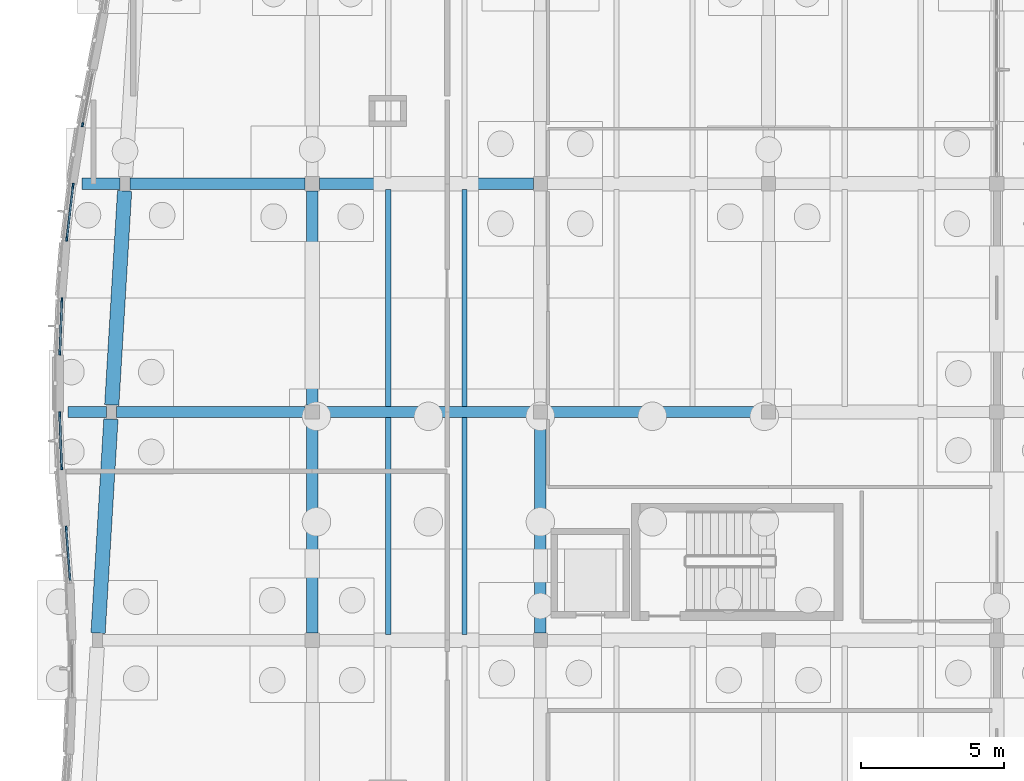
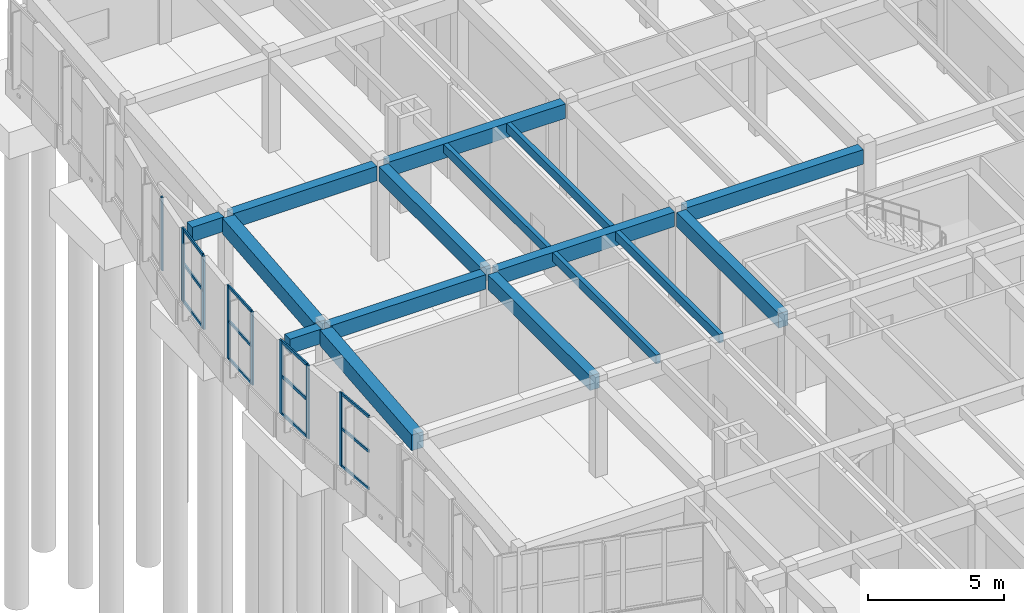
# One storey, part 24 of 99: 20 members, 16 beams, 5 elements without a shape of their own.
"""IFC4 building model written with IfcOpenShell, lengths in metres."""

from ifc_helpers import new_model, si_unit, direction, frame, origin, origin_2d, place, context, subcontext, project, spatial, rectangle, extrude, material, layer, layer_set, material_profile, profile_set, type_object, element, aggregate, save


model = new_model("IFC4")

# Units and contexts
model_context = context("Model", 3, precision=1e-05, world=origin(), true_north=direction((0.0, 1.0)))
body_context = subcontext(model_context, "Body", "Model", "MODEL_VIEW")
ifc_project = project(units=[si_unit("LENGTHUNIT", "METRE"), si_unit("AREAUNIT", "SQUARE_METRE"), si_unit("VOLUMEUNIT", "CUBIC_METRE"), si_unit("PLANEANGLEUNIT", "RADIAN"), si_unit("MASSUNIT", "GRAM", prefix="KILO")], contexts=[model_context])

# Site, building, storey
site_placement = place(None, origin())
site = spatial("IfcSite", under=ifc_project, at=site_placement, CompositionType="ELEMENT")
building_placement = place(site_placement, origin())
building = spatial("IfcBuilding", under=site, at=building_placement, Name="Tonlespit Floodbar School", CompositionType="ELEMENT")
storey_placement = place(building_placement, origin())
storey = spatial("IfcBuildingStorey", under=building, at=storey_placement, Name="L00", CompositionType="ELEMENT", Elevation=0.0)

# Beams
ifc_material_1 = material(Name="Concrete C40/50", Category="concrete")
ifc_material_profile_1 = material_profile(ifc_material_1, rectangle(XDim=0.39990234375, YDim=0.64990234375, at=origin_2d()), Name="RC 400x650")
ifc_profile_set_1 = profile_set([ifc_material_profile_1], Name="Concrete C40/50")
beam_type_1 = type_object("IfcBeamType", Name="Beam_RC_400x650", PredefinedType="BEAM", material=ifc_profile_set_1)
beam_1_placement = place(storey_placement, frame((5.135009765625, 72.0, 3.9150390625), z_axis=(1.0, 0.0, 0.0), x_axis=(0.0, 1.0, 0.0)))
element("IfcBeam", 1, at=beam_1_placement, inside=storey, type_object=beam_type_1, Name="L00 girder 0068", PredefinedType="BEAM", context=body_context, shape_type="SweptSolid", body=[
    extrude(rectangle(XDim=0.39990234375, YDim=0.64990234375, at=origin_2d()), origin(), (0.0, 0.0, 1.0), 6.614990234375),
])
for number, where, z_axis, x_axis, name in (
    (2, (12.25, 72.0, 3.9150390625), (1.0, 0.0, 0.0), (0.0, 1.0, 0.0), "L00 girder 0069"),
    (3, (20.25, 72.0, 3.9150390625), (1.0, 0.0, 0.0), (0.0, 1.0, 0.0), "L00 girder 0070"),
):
    element("IfcBeam", number, at=place(storey_placement, frame(where, z_axis=z_axis, x_axis=x_axis)), inside=storey, type_object=beam_type_1, Name=name, PredefinedType="BEAM", context=body_context, shape_type="SweptSolid", body=[
        extrude(rectangle(XDim=0.39990234375, YDim=0.64990234375, at=origin_2d()), origin(), (0.0, 0.0, 1.0), 7.5),
    ])
beam_2_placement = place(storey_placement, frame((5.614990234375, 80.0, 3.9150390625), z_axis=(1.0, 0.0, 0.0), x_axis=(0.0, 1.0, 0.0)))
element("IfcBeam", 4, at=beam_2_placement, inside=storey, type_object=beam_type_1, Name="L00 girder 0079", PredefinedType="BEAM", context=body_context, shape_type="SweptSolid", body=[
    extrude(rectangle(XDim=0.39990234375, YDim=0.64990234375, at=origin_2d()), origin(), (0.0, 0.0, 1.0), 6.135009765625),
])
for number, where, z_axis, x_axis, name in (
    (5, (12.25, 80.0, 3.9150390625), (1.0, 0.0, 0.0), (0.0, 1.0, 0.0), "L00 girder 0080"),
    (6, (12.0, 64.25, 3.9150390625), (0.0, 1.0, 0.0), (-1.0, 0.0, 0.0), "L00 girder 0180"),
    (7, (12.0, 72.25, 3.9150390625), (0.0, 1.0, 0.0), (-1.0, 0.0, 0.0), "L00 girder 0181"),
    (8, (20.0, 64.25, 3.9150390625), (0.0, 1.0, 0.0), (-1.0, 0.0, 0.0), "L00 girder 0193"),
):
    element("IfcBeam", number, at=place(storey_placement, frame(where, z_axis=z_axis, x_axis=x_axis)), inside=storey, type_object=beam_type_1, Name=name, PredefinedType="BEAM", context=body_context, shape_type="SweptSolid", body=[
        extrude(rectangle(XDim=0.39990234375, YDim=0.64990234375, at=origin_2d()), origin(), (0.0, 0.0, 1.0), 7.5),
    ])
for number, where, z_axis, x_axis, name in (
    (9, (4.784912109375, 72.0, 3.9150390625), (-1.0, 0.0, 0.0), (0.0, -1.0, 0.0), "L00 west street wave cantilever bracket"),
    (10, (5.264892578125, 80.0, 3.9150390625), (-1.0, 0.0, 0.0), (0.0, -1.0, 0.0), "L00 west street wave cantilever bracket"),
):
    element("IfcBeam", number, at=place(storey_placement, frame(where, z_axis=z_axis, x_axis=x_axis)), inside=storey, type_object=beam_type_1, Name=name, PredefinedType="BEAM", context=body_context, shape_type="SweptSolid", body=[
        extrude(rectangle(XDim=0.39990234375, YDim=0.64990234375, at=origin_2d()), origin(), (0.0, 0.0, 1.0), 1.33984375),
    ])

# Curtain wall, member
ifc_material_2 = material(Name="Anodised Aluminium", Category="aluminium")
ifc_layer_1 = layer(ifc_material_2, 0.159912109375)
ifc_layer_set_1 = layer_set([ifc_layer_1], Name="Anodised Aluminium")
curtain_wall_type_1 = type_object("IfcCurtainWallType", Name="CurtainWall_1950x3300", PredefinedType="NOTDEFINED", material=ifc_layer_set_1)
curtain_wall_1_placement = place(storey_placement, origin())
curtain_wall_1 = element("IfcCurtainWall", 11, at=curtain_wall_1_placement, inside=storey, type_object=curtain_wall_type_1, Name="L00 unitised curtain wall 0258", PredefinedType="NOTDEFINED")
ifc_material_profile_2 = material_profile(ifc_material_2, rectangle(XDim=0.06494140625, YDim=0.14990234375, at=origin_2d()), Name="ALU M65x150")
ifc_profile_set_2 = profile_set([ifc_material_profile_2], Name="Anodised Aluminium")
member_type_1 = type_object("IfcMemberType", Name="CW_Mullion_65x150", PredefinedType="MULLION", material=ifc_profile_set_2)
member_1_placement = place(storey_placement, frame((3.37548828125, 67.927734375, 0.949951171875), z_axis=(0.0, 0.0, 1.0), x_axis=(-0.997129753565, -0.075711654028, 0.0)))
member_1 = element("IfcMember", 12, at=member_1_placement, type_object=member_type_1, Name="CW-01 mullion 2", PredefinedType="MULLION", context=body_context, shape_type="SweptSolid", body=[
    extrude(rectangle(XDim=0.06494140625, YDim=0.14990234375, at=origin_2d()), origin(), (0.0, 0.0, 1.0), 3.2900390625),
])

# Curtain wall, members
ifc_layer_2 = layer(ifc_material_2, 0.159912109375)
ifc_layer_set_2 = layer_set([ifc_layer_2], Name="Anodised Aluminium")
curtain_wall_type_2 = type_object("IfcCurtainWallType", Name="CurtainWall_1900x3300", PredefinedType="NOTDEFINED", material=ifc_layer_set_2)
curtain_wall_2_placement = place(storey_placement, origin())
curtain_wall_2 = element("IfcCurtainWall", 13, at=curtain_wall_2_placement, inside=storey, type_object=curtain_wall_type_2, Name="L00 unitised curtain wall 0260", PredefinedType="NOTDEFINED")
member_2_placement = place(storey_placement, frame((3.15234375, 74.072509765625, 0.949951171875), z_axis=(0.0, 0.0, 1.0), x_axis=(-0.999169480615, 0.040747380387, 0.0)))
member_2 = element("IfcMember", 14, at=member_2_placement, type_object=member_type_1, Name="CW-02 mullion 1", PredefinedType="MULLION", context=body_context, shape_type="SweptSolid", body=[
    extrude(rectangle(XDim=0.06494140625, YDim=0.14990234375, at=origin_2d()), origin(), (0.0, 0.0, 1.0), 3.2900390625),
])
member_3_placement = place(storey_placement, frame((3.22802734375, 75.927490234375, 0.949951171875), z_axis=(0.0, 0.0, 1.0), x_axis=(-0.999169480615, 0.040747380387, 0.0)))
member_3 = element("IfcMember", 15, at=member_3_placement, type_object=member_type_1, Name="CW-02 mullion 2", PredefinedType="MULLION", context=body_context, shape_type="SweptSolid", body=[
    extrude(rectangle(XDim=0.06494140625, YDim=0.14990234375, at=origin_2d()), origin(), (0.0, 0.0, 1.0), 3.2900390625),
])

# Curtain wall, member
curtain_wall_3_placement = place(storey_placement, origin())
curtain_wall_3 = element("IfcCurtainWall", 16, at=curtain_wall_3_placement, inside=storey, type_object=curtain_wall_type_1, Name="L00 unitised curtain wall 0262", PredefinedType="NOTDEFINED")
member_4_placement = place(storey_placement, frame((3.9521484375, 82.0712890625, 0.949951171875), z_axis=(0.0, 0.0, 1.0), x_axis=(-0.981347015734, 0.192244726092, 0.0)))
member_4 = element("IfcMember", 17, at=member_4_placement, type_object=member_type_1, Name="CW-01 mullion 1", PredefinedType="MULLION", context=body_context, shape_type="SweptSolid", body=[
    extrude(rectangle(XDim=0.06494140625, YDim=0.14990234375, at=origin_2d()), origin(), (0.0, 0.0, 1.0), 3.2900390625),
])
aggregate(curtain_wall_3, [member_4])

# Curtain wall, members
curtain_wall_4_placement = place(storey_placement, origin())
curtain_wall_4 = element("IfcCurtainWall", 18, at=curtain_wall_4_placement, inside=storey, type_object=curtain_wall_type_2, Name="L00 unitised curtain wall 0259", PredefinedType="NOTDEFINED")
ifc_material_profile_3 = material_profile(ifc_material_2, rectangle(XDim=0.06494140625, YDim=0.179931640625, at=origin_2d()), Name="ALU M65x180")
ifc_profile_set_3 = profile_set([ifc_material_profile_3], Name="Anodised Aluminium")
member_type_2 = type_object("IfcMemberType", Name="CW_Mullion_65x180", PredefinedType="MULLION", material=ifc_profile_set_3)
member_5_placement = place(storey_placement, frame((3.215576171875, 70.072509765625, 0.949951171875), z_axis=(0.0, 0.0, 1.0), x_axis=(-0.999332261205, -0.036538085803, 0.0)))
member_5 = element("IfcMember", 19, at=member_5_placement, type_object=member_type_2, Name="CW-02 mullion 1", PredefinedType="MULLION", context=body_context, shape_type="SweptSolid", body=[
    extrude(rectangle(XDim=0.06494140625, YDim=0.179931640625, at=origin_2d()), origin(), (0.0, 0.0, 1.0), 3.2900390625),
])
member_6_placement = place(storey_placement, frame((3.147705078125, 71.927490234375, 0.949951171875), z_axis=(0.0, 0.0, 1.0), x_axis=(-0.999332261205, -0.036538085803, 0.0)))
member_6 = element("IfcMember", 20, at=member_6_placement, type_object=member_type_2, Name="CW-02 mullion 2", PredefinedType="MULLION", context=body_context, shape_type="SweptSolid", body=[
    extrude(rectangle(XDim=0.06494140625, YDim=0.179931640625, at=origin_2d()), origin(), (0.0, 0.0, 1.0), 3.2900390625),
])

curtain_wall_5_placement = place(storey_placement, origin())
curtain_wall_5 = element("IfcCurtainWall", 21, at=curtain_wall_5_placement, inside=storey, type_object=curtain_wall_type_1, Name="L00 unitised curtain wall 0261", PredefinedType="NOTDEFINED")
member_7_placement = place(storey_placement, frame((3.39794921875, 78.072021484375, 0.949951171875), z_axis=(0.0, 0.0, 1.0), x_axis=(-0.993135771716, 0.116967255837, 0.0)))
member_7 = element("IfcMember", 22, at=member_7_placement, type_object=member_type_2, Name="CW-01 mullion 1", PredefinedType="MULLION", context=body_context, shape_type="SweptSolid", body=[
    extrude(rectangle(XDim=0.06494140625, YDim=0.179931640625, at=origin_2d()), origin(), (0.0, 0.0, 1.0), 3.2900390625),
])
member_8_placement = place(storey_placement, frame((3.616455078125, 79.927978515625, 0.949951171875), z_axis=(0.0, 0.0, 1.0), x_axis=(-0.993135771716, 0.116967255837, 0.0)))
member_8 = element("IfcMember", 23, at=member_8_placement, type_object=member_type_2, Name="CW-01 mullion 2", PredefinedType="MULLION", context=body_context, shape_type="SweptSolid", body=[
    extrude(rectangle(XDim=0.06494140625, YDim=0.179931640625, at=origin_2d()), origin(), (0.0, 0.0, 1.0), 3.2900390625),
])

# Member
ifc_material_profile_4 = material_profile(ifc_material_2, rectangle(XDim=0.06494140625, YDim=0.1201171875, at=origin_2d()), Name="ALU T65x120")
ifc_profile_set_4 = profile_set([ifc_material_profile_4], Name="Anodised Aluminium")
member_type_3 = type_object("IfcMemberType", Name="CW_Transom_65x120", PredefinedType="USERDEFINED", material=ifc_profile_set_4)
member_9_placement = place(storey_placement, frame((3.513916015625, 66.104736328125, 0.982421875), z_axis=(-0.075729549468, 0.99712839461, 0.0), x_axis=(-0.99712839461, -0.075729549468, 0.0)))
member_9 = element("IfcMember", 24, at=member_9_placement, type_object=member_type_3, Name="CW-01 transom 1.1", ObjectType="TRANSOM", PredefinedType="USERDEFINED", context=body_context, shape_type="SweptSolid", body=[
    extrude(rectangle(XDim=0.06494140625, YDim=0.1201171875, at=origin_2d()), origin(), (0.0, 0.0, 1.0), 1.795654296875),
])

member_10_placement = place(storey_placement, frame((3.513916015625, 66.104736328125, 2.660888671875), z_axis=(-0.075729549468, 0.99712839461, 0.0), x_axis=(-0.99712839461, -0.075729549468, 0.0)))
member_10 = element("IfcMember", 25, at=member_10_placement, type_object=member_type_3, Name="CW-01 transom 1.2", ObjectType="TRANSOM", PredefinedType="USERDEFINED", context=body_context, shape_type="SweptSolid", body=[
    extrude(rectangle(XDim=0.06494140625, YDim=0.1201171875, at=origin_2d()), origin(), (0.0, 0.0, 1.0), 1.795654296875),
])

member_11_placement = place(storey_placement, frame((3.513916015625, 66.104736328125, 4.20751953125), z_axis=(-0.075729549468, 0.99712839461, 0.0), x_axis=(-0.99712839461, -0.075729549468, 0.0)))
member_11 = element("IfcMember", 26, at=member_11_placement, type_object=member_type_3, Name="CW-01 transom 1.3", ObjectType="TRANSOM", PredefinedType="USERDEFINED", context=body_context, shape_type="SweptSolid", body=[
    extrude(rectangle(XDim=0.06494140625, YDim=0.1201171875, at=origin_2d()), origin(), (0.0, 0.0, 1.0), 1.795654296875),
])

aggregate(curtain_wall_1, [member_1, member_9, member_10, member_11])

member_12_placement = place(storey_placement, frame((3.153564453125, 74.10498046875, 0.982421875), z_axis=(0.040746274984, 0.999169525694, 0.0), x_axis=(-0.999169525694, 0.040746274984, 0.0)))
member_12 = element("IfcMember", 27, at=member_12_placement, type_object=member_type_3, Name="CW-02 transom 1.1", ObjectType="TRANSOM", PredefinedType="USERDEFINED", context=body_context, shape_type="SweptSolid", body=[
    extrude(rectangle(XDim=0.06494140625, YDim=0.1201171875, at=origin_2d()), origin(), (0.0, 0.0, 1.0), 1.79150390625),
])

member_13_placement = place(storey_placement, frame((3.153564453125, 74.10498046875, 2.660888671875), z_axis=(0.040746274984, 0.999169525694, 0.0), x_axis=(-0.999169525694, 0.040746274984, 0.0)))
member_13 = element("IfcMember", 28, at=member_13_placement, type_object=member_type_3, Name="CW-02 transom 1.2", ObjectType="TRANSOM", PredefinedType="USERDEFINED", context=body_context, shape_type="SweptSolid", body=[
    extrude(rectangle(XDim=0.06494140625, YDim=0.1201171875, at=origin_2d()), origin(), (0.0, 0.0, 1.0), 1.79150390625),
])

member_14_placement = place(storey_placement, frame((3.153564453125, 74.10498046875, 4.20751953125), z_axis=(0.040746274984, 0.999169525694, 0.0), x_axis=(-0.999169525694, 0.040746274984, 0.0)))
member_14 = element("IfcMember", 29, at=member_14_placement, type_object=member_type_3, Name="CW-02 transom 1.3", ObjectType="TRANSOM", PredefinedType="USERDEFINED", context=body_context, shape_type="SweptSolid", body=[
    extrude(rectangle(XDim=0.06494140625, YDim=0.1201171875, at=origin_2d()), origin(), (0.0, 0.0, 1.0), 1.79150390625),
])

aggregate(curtain_wall_2, [member_2, member_3, member_12, member_13, member_14])

ifc_material_profile_5 = material_profile(ifc_material_2, rectangle(XDim=0.06494140625, YDim=0.139892578125, at=origin_2d()), Name="ALU T65x140")
ifc_profile_set_5 = profile_set([ifc_material_profile_5], Name="Anodised Aluminium")
member_type_4 = type_object("IfcMemberType", Name="CW_Transom_65x140", PredefinedType="USERDEFINED", material=ifc_profile_set_5)
member_15_placement = place(storey_placement, frame((3.21435546875, 70.10498046875, 0.982421875), z_axis=(-0.036527706995, 0.999332640627, 0.0), x_axis=(-0.999332640627, -0.036527706995, 0.0)))
member_15 = element("IfcMember", 30, at=member_15_placement, type_object=member_type_4, Name="CW-02 transom 1.1", ObjectType="TRANSOM", PredefinedType="USERDEFINED", context=body_context, shape_type="SweptSolid", body=[
    extrude(rectangle(XDim=0.06494140625, YDim=0.139892578125, at=origin_2d()), origin(), (0.0, 0.0, 1.0), 1.791259765625),
])

member_16_placement = place(storey_placement, frame((3.21435546875, 70.10498046875, 2.660888671875), z_axis=(-0.036527706995, 0.999332640627, 0.0), x_axis=(-0.999332640627, -0.036527706995, 0.0)))
member_16 = element("IfcMember", 31, at=member_16_placement, type_object=member_type_4, Name="CW-02 transom 1.2", ObjectType="TRANSOM", PredefinedType="USERDEFINED", context=body_context, shape_type="SweptSolid", body=[
    extrude(rectangle(XDim=0.06494140625, YDim=0.139892578125, at=origin_2d()), origin(), (0.0, 0.0, 1.0), 1.791259765625),
])

member_17_placement = place(storey_placement, frame((3.21435546875, 70.10498046875, 4.20751953125), z_axis=(-0.036527706995, 0.999332640627, 0.0), x_axis=(-0.999332640627, -0.036527706995, 0.0)))
member_17 = element("IfcMember", 32, at=member_17_placement, type_object=member_type_4, Name="CW-02 transom 1.3", ObjectType="TRANSOM", PredefinedType="USERDEFINED", context=body_context, shape_type="SweptSolid", body=[
    extrude(rectangle(XDim=0.06494140625, YDim=0.139892578125, at=origin_2d()), origin(), (0.0, 0.0, 1.0), 1.791259765625),
])

aggregate(curtain_wall_4, [member_5, member_6, member_15, member_16, member_17])

member_18_placement = place(storey_placement, frame((3.401611328125, 78.104248046875, 0.982421875), z_axis=(0.117068966489, 0.993123787393, 0.0), x_axis=(-0.993123787393, 0.117068966489, 0.0)))
member_18 = element("IfcMember", 33, at=member_18_placement, type_object=member_type_4, Name="CW-01 transom 1.1", ObjectType="TRANSOM", PredefinedType="USERDEFINED", context=body_context, shape_type="SweptSolid", body=[
    extrude(rectangle(XDim=0.06494140625, YDim=0.139892578125, at=origin_2d()), origin(), (0.0, 0.0, 1.0), 1.803955078125),
])

member_19_placement = place(storey_placement, frame((3.401611328125, 78.104248046875, 2.660888671875), z_axis=(0.117068966489, 0.993123787393, 0.0), x_axis=(-0.993123787393, 0.117068966489, 0.0)))
member_19 = element("IfcMember", 34, at=member_19_placement, type_object=member_type_4, Name="CW-01 transom 1.2", ObjectType="TRANSOM", PredefinedType="USERDEFINED", context=body_context, shape_type="SweptSolid", body=[
    extrude(rectangle(XDim=0.06494140625, YDim=0.139892578125, at=origin_2d()), origin(), (0.0, 0.0, 1.0), 1.803955078125),
])

member_20_placement = place(storey_placement, frame((3.401611328125, 78.104248046875, 4.20751953125), z_axis=(0.117068966489, 0.993123787393, 0.0), x_axis=(-0.993123787393, 0.117068966489, 0.0)))
member_20 = element("IfcMember", 35, at=member_20_placement, type_object=member_type_4, Name="CW-01 transom 1.3", ObjectType="TRANSOM", PredefinedType="USERDEFINED", context=body_context, shape_type="SweptSolid", body=[
    extrude(rectangle(XDim=0.06494140625, YDim=0.139892578125, at=origin_2d()), origin(), (0.0, 0.0, 1.0), 1.803955078125),
])

aggregate(curtain_wall_5, [member_7, member_8, member_18, member_19, member_20])

# Beams
ifc_material_3 = material(Name="Glulam GL28h", Category="wood")
ifc_material_profile_6 = material_profile(ifc_material_3, rectangle(XDim=0.179931640625, YDim=0.39990234375, at=origin_2d()), Name="GL 180x400")
ifc_profile_set_6 = profile_set([ifc_material_profile_6], Name="Glulam GL28h")
beam_type_2 = type_object("IfcBeamType", Name="Joist_GL_180x400", PredefinedType="JOIST", material=ifc_profile_set_6)
for number, where, z_axis, x_axis, name in (
    (36, (14.666748046875, 64.199951171875, 4.0400390625), (0.0, 1.0, 0.0), (-1.0, 0.0, 0.0), "L00 secondary joist 0419"),
    (37, (17.333251953125, 64.199951171875, 4.0400390625), (0.0, 1.0, 0.0), (-1.0, 0.0, 0.0), "L00 secondary joist 0420"),
    (38, (14.666748046875, 72.199951171875, 4.0400390625), (0.0, 1.0, 0.0), (-1.0, 0.0, 0.0), "L00 secondary joist 0436"),
    (39, (17.333251953125, 72.199951171875, 4.0400390625), (0.0, 1.0, 0.0), (-1.0, 0.0, 0.0), "L00 secondary joist 0437"),
):
    element("IfcBeam", number, at=place(storey_placement, frame(where, z_axis=z_axis, x_axis=x_axis)), inside=storey, type_object=beam_type_2, Name=name, PredefinedType="JOIST", context=body_context, shape_type="SweptSolid", body=[
        extrude(rectangle(XDim=0.179931640625, YDim=0.39990234375, at=origin_2d()), origin(), (0.0, 0.0, 1.0), 7.60009765625),
    ])
ifc_material_profile_7 = material_profile(ifc_material_1, rectangle(XDim=0.5, YDim=0.699951171875, at=origin_2d()), Name="RC 500x700")
ifc_profile_set_7 = profile_set([ifc_material_profile_7], Name="Concrete C40/50")
beam_type_3 = type_object("IfcBeamType", Name="Spandrel_RC_500x700", PredefinedType="SPANDREL", material=ifc_profile_set_7)
for number, where, z_axis, x_axis, name in (
    (40, (4.4951171875, 64.24951171875, 3.889892578125), (0.059878046645, 0.998205700009, 0.0), (-0.998205700009, 0.059878046645, 0.0), "L00 splayed edge spandrel 0331"),
    (41, (4.97509765625, 72.24951171875, 3.889892578125), (0.059878046645, 0.998205700009, 0.0), (-0.998205700009, 0.059878046645, 0.0), "L00 splayed edge spandrel 0332"),
):
    element("IfcBeam", number, at=place(storey_placement, frame(where, z_axis=z_axis, x_axis=x_axis)), inside=storey, type_object=beam_type_3, Name=name, PredefinedType="SPANDREL", context=body_context, shape_type="SweptSolid", body=[
        extrude(rectangle(XDim=0.5, YDim=0.699951171875, at=origin_2d()), origin(), (0.0, 0.0, 1.0), 7.514404296875),
    ])

save(model, "model.ifc")
